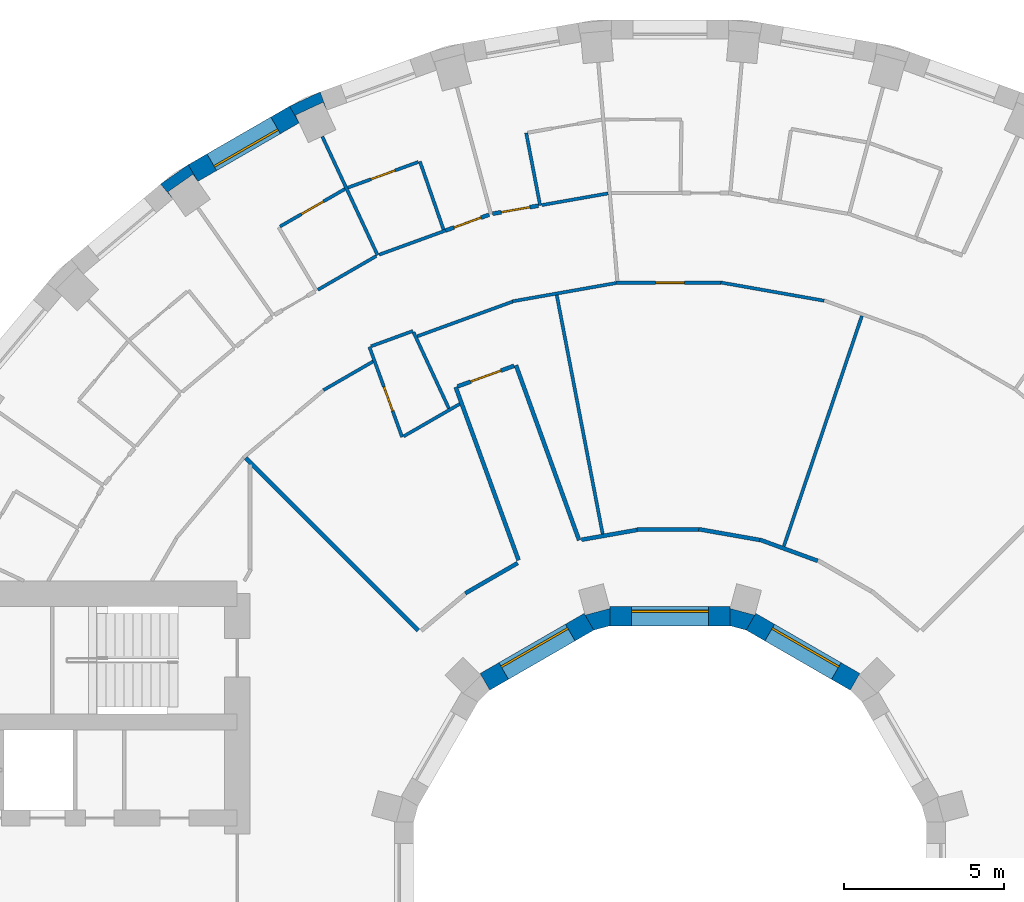
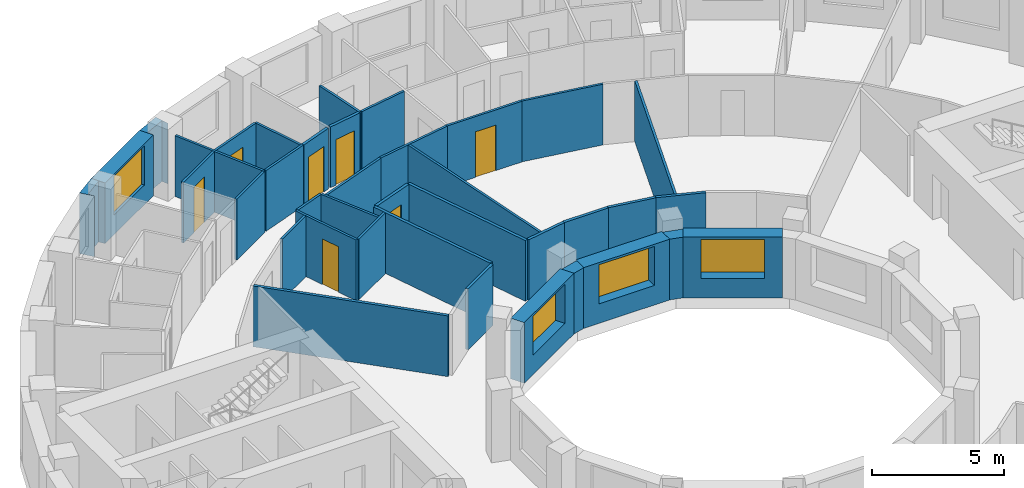
# One storey, part 10 of 14: 38 walls, 7 doors, 4 windows, 11 openings.
"""IFC4 building model written with IfcOpenShell, lengths in metres."""

from ifc_helpers import new_model, si_unit, direction, frame, frame_2d, origin, place, context, subcontext, project, spatial, polyline, rectangle, outline, extrude, material, layer, layer_set, type_object, element, fill, save


model = new_model("IFC4")

# Units and contexts
model_context = context("Model", 3, precision=1e-05, world=origin(), true_north=direction((0.0, 1.0)))
body_context = subcontext(model_context, "Body", "Model", "MODEL_VIEW")
ifc_project = project(units=[si_unit("LENGTHUNIT", "METRE"), si_unit("AREAUNIT", "SQUARE_METRE"), si_unit("VOLUMEUNIT", "CUBIC_METRE"), si_unit("PLANEANGLEUNIT", "RADIAN"), si_unit("MASSUNIT", "GRAM", prefix="KILO")], contexts=[model_context])

# Site, building, storey
site_placement = place(None, origin())
site = spatial("IfcSite", under=ifc_project, at=site_placement, CompositionType="ELEMENT")
building_placement = place(site_placement, origin())
building = spatial("IfcBuilding", under=site, at=building_placement, Name="Saqina Gate Tower", CompositionType="ELEMENT")
storey_placement = place(building_placement, frame((0.0, 0.0, 138.10009765625)))
storey = spatial("IfcBuildingStorey", under=building, at=storey_placement, Name="L39", CompositionType="ELEMENT", Elevation=138.10009765625)

# Walls
ifc_material_1 = material(Name="Brick masonry (buff)", Category="masonry")
wall_type_1 = type_object("IfcWallType", Name="BRICK PIER COPING BUFF", PredefinedType="SOLIDWALL", material=ifc_material_1)
wall_1_placement = place(storey_placement, origin())
element("IfcWall", 1, at=wall_1_placement, inside=storey, type_object=wall_type_1, Name="Pier cap L39 column 12", PredefinedType="SOLIDWALL", context=body_context, shape_type="SweptSolid", body=[
    extrude(outline(polyline([(-10.913330078125, 24.6513671875), (-11.869140625, 24.205810546875), (-11.569091796875, 23.68603515625), (-11.6826171875, 23.9296875), (-10.82177734375, 24.331298828125), (-10.7080078125, 24.08740234375), (-10.913330078125, 24.6513671875)])), origin(), (0.0, 0.0, 1.0), 2.7998046875),
])
wall_2_placement = place(storey_placement, origin())
element("IfcWall", 2, at=wall_2_placement, inside=storey, type_object=wall_type_1, Name="Pier cap L39 column 13", PredefinedType="SOLIDWALL", context=body_context, shape_type="SweptSolid", body=[
    extrude(outline(polyline([(-15.89208984375, 21.77685546875), (-15.50634765625, 21.317138671875), (-15.66064453125, 21.53759765625), (-14.88232421875, 22.08251953125), (-14.728271484375, 21.862060546875), (-15.0283203125, 22.3818359375), (-15.89208984375, 21.77685546875)])), origin(), (0.0, 0.0, 1.0), 2.7998046875),
])

# Wall, opening, window
ifc_material_2 = material(Name="Brick masonry (buff)", Category="masonry")
ifc_layer_1 = layer(ifc_material_2, 0.60009765625)
ifc_layer_set_1 = layer_set([ifc_layer_1], Name="FW-BRICK-BUFF")
wall_type_2 = type_object("IfcWallType", Name="FW-BRICK-BUFF", PredefinedType="SOLIDWALL", material=ifc_layer_set_1)
wall_3_placement = place(storey_placement, frame((-11.718994140625, 23.94580078125, 0.0), z_axis=(0.0, 0.0, 1.0), x_axis=(-0.866051847062, -0.499954196102, 0.0)))
wall_3 = element("IfcWall", 3, at=wall_3_placement, inside=storey, type_object=wall_type_2, Name="Facade wall L39 facet 12", PredefinedType="SOLIDWALL", context=body_context, shape_type="SweptSolid", body=[
    extrude(rectangle(XDim=3.647705078125, YDim=0.60009765625, at=frame_2d((1.82373046875, 0.0))), origin(), (0.0, 0.0, 1.0), 2.7998046875),
])
opening_1_placement = place(wall_3_placement, frame((0.673828125, 0.0, 0.89990234375)))
opening_1 = element("IfcOpeningElement", 4, at=opening_1_placement, cuts=wall_3, Name="Opening G11-W10", PredefinedType="OPENING", context=body_context, shape_type="SweptSolid", body=[
    extrude(rectangle(XDim=2.300048828125, YDim=1.800048828125, at=frame_2d((1.14990234375, 0.89990234375))), frame((0.0, 0.31201171875, 0.0), z_axis=(0.0, -1.0, 0.0), x_axis=(1.0, 0.0, 0.0)), (0.0, 0.0, 1.0), 0.6240234375),
])
ifc_material_3 = material(Name="Aluminium glazing", Category="aluminium")
window_type_1 = type_object("IfcWindowType", Name="WN-B", PartitioningType="SINGLE_PANEL", PredefinedType="WINDOW", material=ifc_material_3)
window_1_placement = place(opening_1_placement, origin())
window_1 = element("IfcWindow", 5, at=window_1_placement, inside=storey, type_object=window_type_1, Name="Window L39 facet 12", OverallHeight=1.800048828125, OverallWidth=2.300048828125, PartitioningType="SINGLE_PANEL", PredefinedType="WINDOW", context=body_context, shape_type="SweptSolid", body=[
    extrude(rectangle(XDim=2.300048828125, YDim=1.800048828125, at=frame_2d((1.14990234375, 0.89990234375))), frame((0.0, 0.179931640625, 0.0), z_axis=(0.0, -1.0, 0.0), x_axis=(1.0, 0.0, 0.0)), (0.0, 0.0, 1.0), 0.06005859375),
])
fill(opening_1, window_1)

ifc_material_4 = material(Name="Glazed ceramic tile", Category="ceramic")
ifc_layer_2 = layer(ifc_material_4, 0.60009765625)
ifc_layer_set_2 = layer_set([ifc_layer_2], Name="IW-TILE")
wall_type_3 = type_object("IfcWallType", Name="IW-TILE", PredefinedType="SOLIDWALL", material=ifc_layer_set_2)
wall_4_placement = place(storey_placement, frame((5.772705078125, 6.251220703125, 0.0), z_axis=(0.0, 0.0, 1.0), x_axis=(-0.86604563398, 0.499964958637, 0.0)))
wall_4 = element("IfcWall", 6, at=wall_4_placement, inside=storey, type_object=wall_type_3, Name="Well wall L39 facet 2", PredefinedType="SOLIDWALL", context=body_context, shape_type="SweptSolid", body=[
    extrude(rectangle(XDim=3.747314453125, YDim=0.60009765625, at=frame_2d((1.87353515625, 0.0))), origin(), (0.0, 0.0, 1.0), 2.7998046875),
])
opening_2_placement = place(wall_4_placement, frame((0.673583984375, 0.0, 0.89990234375)))
opening_2 = element("IfcOpeningElement", 7, at=opening_2_placement, cuts=wall_4, Name="Opening G11-W24", PredefinedType="OPENING", context=body_context, shape_type="SweptSolid", body=[
    extrude(rectangle(XDim=2.39990234375, YDim=1.800048828125, at=frame_2d((1.199951171875, 0.89990234375))), frame((0.0, 0.31201171875, 0.0), z_axis=(0.0, -1.0, 0.0), x_axis=(1.0, 0.0, 0.0)), (0.0, 0.0, 1.0), 0.6240234375),
])
ifc_material_5 = material(Name="Aluminium glazing", Category="aluminium")
window_type_2 = type_object("IfcWindowType", Name="WN-W", PartitioningType="SINGLE_PANEL", PredefinedType="WINDOW", material=ifc_material_5)
window_2_placement = place(opening_2_placement, origin())
window_2 = element("IfcWindow", 8, at=window_2_placement, inside=storey, type_object=window_type_2, Name="Well window L39 facet 2", OverallHeight=1.800048828125, OverallWidth=2.39990234375, PartitioningType="SINGLE_PANEL", PredefinedType="WINDOW", context=body_context, shape_type="SweptSolid", body=[
    extrude(rectangle(XDim=2.39990234375, YDim=1.800048828125, at=frame_2d((1.199951171875, 0.89990234375))), frame((0.0, -0.119873046875, 0.0), z_axis=(0.0, -1.0, 0.0), x_axis=(1.0, 0.0, 0.0)), (0.0, 0.0, 1.0), 0.06005859375),
])
fill(opening_2, window_2)

wall_5_placement = place(storey_placement, frame((1.873779296875, 8.300048828125, 0.0), z_axis=(0.0, 0.0, 1.0), x_axis=(-1.0, 0.0, 0.0)))
wall_5 = element("IfcWall", 9, at=wall_5_placement, inside=storey, type_object=wall_type_3, Name="Well wall L39 facet 3", PredefinedType="SOLIDWALL", context=body_context, shape_type="SweptSolid", body=[
    extrude(rectangle(XDim=3.74755859375, YDim=0.60009765625, at=frame_2d((1.873779296875, 0.0))), origin(), (0.0, 0.0, 1.0), 2.7998046875),
])
opening_3_placement = place(wall_5_placement, frame((0.673583984375, 0.0, 0.89990234375)))
opening_3 = element("IfcOpeningElement", 10, at=opening_3_placement, cuts=wall_5, Name="Opening G11-W25", PredefinedType="OPENING", context=body_context, shape_type="SweptSolid", body=[
    extrude(rectangle(XDim=2.39990234375, YDim=1.800048828125, at=frame_2d((1.199951171875, 0.89990234375))), frame((0.0, 0.31201171875, 0.0), z_axis=(0.0, -1.0, 0.0), x_axis=(1.0, 0.0, 0.0)), (0.0, 0.0, 1.0), 0.6240234375),
])
window_3_placement = place(opening_3_placement, origin())
window_3 = element("IfcWindow", 11, at=window_3_placement, inside=storey, type_object=window_type_2, Name="Well window L39 facet 3", OverallHeight=1.800048828125, OverallWidth=2.39990234375, PartitioningType="SINGLE_PANEL", PredefinedType="WINDOW", context=body_context, shape_type="SweptSolid", body=[
    extrude(rectangle(XDim=2.39990234375, YDim=1.800048828125, at=frame_2d((1.199951171875, 0.89990234375))), frame((0.0, -0.119873046875, 0.0), z_axis=(0.0, -1.0, 0.0), x_axis=(1.0, 0.0, 0.0)), (0.0, 0.0, 1.0), 0.06005859375),
])
fill(opening_3, window_3)

wall_6_placement = place(storey_placement, frame((-2.52734375, 8.124755859375, 0.0), z_axis=(0.0, 0.0, 1.0), x_axis=(-0.86604563398, -0.499964958637, 0.0)))
wall_6 = element("IfcWall", 12, at=wall_6_placement, inside=storey, type_object=wall_type_3, Name="Well wall L39 facet 4", PredefinedType="SOLIDWALL", context=body_context, shape_type="SweptSolid", body=[
    extrude(rectangle(XDim=3.747314453125, YDim=0.60009765625, at=frame_2d((1.87353515625, 0.0))), origin(), (0.0, 0.0, 1.0), 2.7998046875),
])
opening_4_placement = place(wall_6_placement, frame((0.673583984375, 0.0, 0.89990234375)))
opening_4 = element("IfcOpeningElement", 13, at=opening_4_placement, cuts=wall_6, Name="Opening G11-W26", PredefinedType="OPENING", context=body_context, shape_type="SweptSolid", body=[
    extrude(rectangle(XDim=2.39990234375, YDim=1.800048828125, at=frame_2d((1.199951171875, 0.89990234375))), frame((0.0, 0.31201171875, 0.0), z_axis=(0.0, -1.0, 0.0), x_axis=(1.0, 0.0, 0.0)), (0.0, 0.0, 1.0), 0.6240234375),
])
window_4_placement = place(opening_4_placement, origin())
window_4 = element("IfcWindow", 14, at=window_4_placement, inside=storey, type_object=window_type_2, Name="Well window L39 facet 4", OverallHeight=1.800048828125, OverallWidth=2.39990234375, PartitioningType="SINGLE_PANEL", PredefinedType="WINDOW", context=body_context, shape_type="SweptSolid", body=[
    extrude(rectangle(XDim=2.39990234375, YDim=1.800048828125, at=frame_2d((1.199951171875, 0.89990234375))), frame((0.0, -0.119873046875, 0.0), z_axis=(0.0, -1.0, 0.0), x_axis=(1.0, 0.0, 0.0)), (0.0, 0.0, 1.0), 0.06005859375),
])
fill(opening_4, window_4)

# Walls
ifc_material_6 = material(Name="Gypsum board on steel studs, 100 mm", Category="steel")
ifc_layer_3 = layer(ifc_material_6, 0.10009765625)
ifc_layer_set_3 = layer_set([ifc_layer_3], Name="PARTITION 100")
wall_type_4 = type_object("IfcWallType", Name="PARTITION 100", PredefinedType="PARTITIONING", material=ifc_layer_set_3)
wall_7_placement = place(storey_placement, frame((-4.486083984375, 23.373046875, 0.0), z_axis=(0.0, 0.0, 1.0), x_axis=(0.188701744684, -0.982034445197, 0.0)))
element("IfcWall", 15, at=wall_7_placement, inside=storey, type_object=wall_type_4, Name="PARTITION PW3-06", PredefinedType="PARTITIONING", context=body_context, shape_type="SweptSolid", body=[
    extrude(rectangle(XDim=2.30029296875, YDim=0.10009765625, at=frame_2d((1.150146484375, 0.0))), origin(), (0.0, 0.0, 1.0), 2.7998046875),
])
wall_8_placement = place(storey_placement, frame((-3.532470703125, 18.31396484375, 0.0), z_axis=(0.0, 0.0, 1.0), x_axis=(0.188654052272, -0.982043608279, 0.0)))
element("IfcWall", 16, at=wall_8_placement, inside=storey, type_object=wall_type_4, Name="PARTITION PW3-07", PredefinedType="PARTITIONING", context=body_context, shape_type="SweptSolid", body=[
    extrude(rectangle(XDim=7.58740234375, YDim=0.10009765625, at=frame_2d((3.793701171875, 0.0))), origin(), (0.0, 0.0, 1.0), 2.7998046875),
])
wall_9_placement = place(storey_placement, frame((-7.802001953125, 22.485107421875, 0.0), z_axis=(0.0, 0.0, 1.0), x_axis=(0.327758868129, -0.944761411343, 0.0)))
element("IfcWall", 17, at=wall_9_placement, inside=storey, type_object=wall_type_4, Name="PARTITION PW3-10", PredefinedType="PARTITIONING", context=body_context, shape_type="SweptSolid", body=[
    extrude(rectangle(XDim=2.250244140625, YDim=0.10009765625, at=frame_2d((1.125, 0.0))), origin(), (0.0, 0.0, 1.0), 2.7998046875),
])

# Wall, opening, door
wall_10_placement = place(storey_placement, frame((-9.377685546875, 16.7001953125, 0.0), z_axis=(0.0, 0.0, 1.0), x_axis=(0.341009323841, -0.940059913545, 0.0)))
wall_10 = element("IfcWall", 18, at=wall_10_placement, inside=storey, type_object=wall_type_4, Name="PARTITION PW3-11", PredefinedType="PARTITIONING", context=body_context, shape_type="SweptSolid", body=[
    extrude(rectangle(XDim=2.99267578125, YDim=0.10009765625, at=frame_2d((1.496337890625, 0.0))), origin(), (0.0, 0.0, 1.0), 2.7998046875),
])
opening_5_placement = place(wall_10_placement, frame((1.325927734375, 0.0, 0.0)))
opening_5 = element("IfcOpeningElement", 19, at=opening_5_placement, cuts=wall_10, Name="Opening G11-D18", PredefinedType="OPENING", context=body_context, shape_type="SweptSolid", body=[
    extrude(rectangle(XDim=0.800048828125, YDim=2.10009765625, at=frame_2d((0.39990234375, 1.050048828125))), frame((0.0, 0.06201171875, 0.0), z_axis=(0.0, -1.0, 0.0), x_axis=(1.0, 0.0, 0.0)), (0.0, 0.0, 1.0), 0.1240234375),
])
ifc_material_7 = material(Name="Timber door leaf, 800 mm", Category="wood")
door_type_1 = type_object("IfcDoorType", Name="DOOR 800 TIMBER", OperationType="SINGLE_SWING_LEFT", PredefinedType="DOOR", material=ifc_material_7)
door_1_placement = place(opening_5_placement, frame((0.800048828125, 0.0, 0.0), z_axis=(0.0, 0.0, 1.0), x_axis=(-1.0, 0.0, 0.0)))
door_1 = element("IfcDoor", 20, at=door_1_placement, inside=storey, type_object=door_type_1, Name="DOOR G11-D18", OperationType="SINGLE_SWING_LEFT", OverallHeight=2.10009765625, OverallWidth=0.800048828125, PredefinedType="DOOR", context=body_context, shape_type="SweptSolid", body=[
    extrude(rectangle(XDim=0.800048828125, YDim=2.10009765625, at=frame_2d((0.39990234375, 1.050048828125))), frame((0.0, 0.02490234375, 0.0), z_axis=(0.0, -1.0, 0.0), x_axis=(1.0, 0.0, 0.0)), (0.0, 0.0, 1.0), 0.050048828125),
])
fill(opening_5, door_1)

# Walls
wall_11_placement = place(storey_placement, frame((-8.000732421875, 17.15771484375, 0.0), z_axis=(0.0, 0.0, 1.0), x_axis=(0.420966177441, -0.907076334964, 0.0)))
element("IfcWall", 21, at=wall_11_placement, inside=storey, type_object=wall_type_4, Name="PARTITION PW3-13", PredefinedType="PARTITIONING", context=body_context, shape_type="SweptSolid", body=[
    extrude(rectangle(XDim=2.61962890625, YDim=0.10009765625, at=frame_2d((1.309814453125, 0.0))), origin(), (0.0, 0.0, 1.0), 2.7998046875),
])
wall_12_placement = place(storey_placement, frame((-10.84716796875, 23.260009765625, 0.0), z_axis=(0.0, 0.0, 1.0), x_axis=(0.422784035137, -0.906230467173, 0.0)))
element("IfcWall", 22, at=wall_12_placement, inside=storey, type_object=wall_type_4, Name="PARTITION PW3-14", PredefinedType="PARTITIONING", context=body_context, shape_type="SweptSolid", body=[
    extrude(rectangle(XDim=4.0849609375, YDim=0.10009765625, at=frame_2d((2.04248046875, 0.0))), origin(), (0.0, 0.0, 1.0), 2.7998046875),
])
wall_13_placement = place(storey_placement, frame((1.5859375, 18.707763671875, 0.0), z_axis=(0.0, 0.0, 1.0), x_axis=(0.984816586048, -0.17359807558, 0.0)))
element("IfcWall", 23, at=wall_13_placement, inside=storey, type_object=wall_type_4, Name="PARTITION PW3-35", PredefinedType="PARTITIONING", context=body_context, shape_type="SweptSolid", body=[
    extrude(rectangle(XDim=3.272705078125, YDim=0.10009765625, at=frame_2d((1.63623046875, 0.0))), origin(), (0.0, 0.0, 1.0), 2.7998046875),
])

# Wall, opening, door
wall_14_placement = place(storey_placement, frame((-1.686767578125, 18.698974609375, 0.0), z_axis=(0.0, 0.0, 1.0), x_axis=(1.0, 0.0, 0.0)))
wall_14 = element("IfcWall", 24, at=wall_14_placement, inside=storey, type_object=wall_type_4, Name="PARTITION PW3-41", PredefinedType="PARTITIONING", context=body_context, shape_type="SweptSolid", body=[
    extrude(rectangle(XDim=3.272705078125, YDim=0.10009765625, at=frame_2d((1.63623046875, 0.0))), origin(), (0.0, 0.0, 1.0), 2.7998046875),
])
opening_6_placement = place(wall_14_placement, frame((1.23681640625, 0.0, 0.0)))
opening_6 = element("IfcOpeningElement", 25, at=opening_6_placement, cuts=wall_14, Name="Opening G11-D09", PredefinedType="OPENING", context=body_context, shape_type="SweptSolid", body=[
    extrude(rectangle(XDim=0.89990234375, YDim=2.10009765625, at=frame_2d((0.449951171875, 1.050048828125))), frame((0.0, 0.06201171875, 0.0), z_axis=(0.0, -1.0, 0.0), x_axis=(1.0, 0.0, 0.0)), (0.0, 0.0, 1.0), 0.1240234375),
])
ifc_material_8 = material(Name="Timber door leaf, 900 mm", Category="wood")
door_type_2 = type_object("IfcDoorType", Name="DOOR 900 TIMBER", OperationType="SINGLE_SWING_LEFT", PredefinedType="DOOR", material=ifc_material_8)
door_2_placement = place(opening_6_placement, origin())
door_2 = element("IfcDoor", 26, at=door_2_placement, inside=storey, type_object=door_type_2, Name="DOOR G11-D09", OperationType="SINGLE_SWING_RIGHT", OverallHeight=2.10009765625, OverallWidth=0.89990234375, PredefinedType="DOOR", context=body_context, shape_type="SweptSolid", body=[
    extrude(rectangle(XDim=0.89990234375, YDim=2.10009765625, at=frame_2d((0.449951171875, 1.050048828125))), frame((0.0, 0.02490234375, 0.0), z_axis=(0.0, -1.0, 0.0), x_axis=(1.0, 0.0, 0.0)), (0.0, 0.0, 1.0), 0.050048828125),
])
fill(opening_6, door_2)

# Walls
wall_15_placement = place(storey_placement, frame((-4.907958984375, 18.1220703125, 0.0), z_axis=(0.0, 0.0, 1.0), x_axis=(0.984801579175, 0.1736831876, 0.0)))
element("IfcWall", 27, at=wall_15_placement, inside=storey, type_object=wall_type_4, Name="PARTITION PW3-48", PredefinedType="PARTITIONING", context=body_context, shape_type="SweptSolid", body=[
    extrude(rectangle(XDim=3.2724609375, YDim=0.10009765625, at=frame_2d((1.63623046875, 0.0))), origin(), (0.0, 0.0, 1.0), 2.7998046875),
])
wall_16_placement = place(storey_placement, frame((-4.002685546875, 21.122802734375, 0.0), z_axis=(0.0, 0.0, 1.0), x_axis=(0.984804573467, 0.173666208797, 0.0)))
element("IfcWall", 28, at=wall_16_placement, inside=storey, type_object=wall_type_4, Name="PARTITION PW3-49", PredefinedType="PARTITIONING", context=body_context, shape_type="SweptSolid", body=[
    extrude(rectangle(XDim=2.1044921875, YDim=0.10009765625, at=frame_2d((1.05224609375, 0.0))), origin(), (0.0, 0.0, 1.0), 2.7998046875),
])
wall_17_placement = place(storey_placement, frame((-7.885009765625, 17.029052734375, 0.0), z_axis=(0.0, 0.0, 1.0), x_axis=(0.939658489008, 0.342113905059, 0.0)))
element("IfcWall", 29, at=wall_17_placement, inside=storey, type_object=wall_type_4, Name="PARTITION PW3-54", PredefinedType="PARTITIONING", context=body_context, shape_type="SweptSolid", body=[
    extrude(rectangle(XDim=3.17138671875, YDim=0.10009765625, at=frame_2d((1.585693359375, 0.0))), origin(), (0.0, 0.0, 1.0), 2.7998046875),
])
wall_18_placement = place(storey_placement, frame((-9.3291015625, 16.7177734375, 0.0), z_axis=(0.0, 0.0, 1.0), x_axis=(0.939665632091, 0.342094285054, 0.0)))
element("IfcWall", 30, at=wall_18_placement, inside=storey, type_object=wall_type_4, Name="PARTITION PW3-55", PredefinedType="PARTITIONING", context=body_context, shape_type="SweptSolid", body=[
    extrude(rectangle(XDim=1.395263671875, YDim=0.10009765625, at=frame_2d((0.69775390625, 0.0))), origin(), (0.0, 0.0, 1.0), 2.7998046875),
])
wall_19_placement = place(storey_placement, frame((-9.072998046875, 19.5751953125, 0.0), z_axis=(0.0, 0.0, 1.0), x_axis=(0.939728749343, 0.341920864613, 0.0)))
element("IfcWall", 31, at=wall_19_placement, inside=storey, type_object=wall_type_4, Name="PARTITION PW3-56", PredefinedType="PARTITIONING", context=body_context, shape_type="SweptSolid", body=[
    extrude(rectangle(XDim=2.204833984375, YDim=0.10009765625, at=frame_2d((1.1025390625, 0.0))), origin(), (0.0, 0.0, 1.0), 2.7998046875),
])

# Wall, opening, door
wall_20_placement = place(storey_placement, frame((-10.049072265625, 21.6669921875, 0.0), z_axis=(0.0, 0.0, 1.0), x_axis=(0.939662448837, 0.342103028699, 0.0)))
wall_20 = element("IfcWall", 32, at=wall_20_placement, inside=storey, type_object=wall_type_4, Name="PARTITION PW3-57", PredefinedType="PARTITIONING", context=body_context, shape_type="SweptSolid", body=[
    extrude(rectangle(XDim=2.341552734375, YDim=0.10009765625, at=frame_2d((1.1708984375, 0.0))), origin(), (0.0, 0.0, 1.0), 2.7998046875),
])
opening_7_placement = place(wall_20_placement, frame((0.7705078125, 0.0, 0.0)))
opening_7 = element("IfcOpeningElement", 33, at=opening_7_placement, cuts=wall_20, Name="Opening G11-D16", PredefinedType="OPENING", context=body_context, shape_type="SweptSolid", body=[
    extrude(rectangle(XDim=0.800048828125, YDim=2.10009765625, at=frame_2d((0.39990234375, 1.050048828125))), frame((0.0, 0.06201171875, 0.0), z_axis=(0.0, -1.0, 0.0), x_axis=(1.0, 0.0, 0.0)), (0.0, 0.0, 1.0), 0.1240234375),
])
door_3_placement = place(opening_7_placement, origin())
door_3 = element("IfcDoor", 34, at=door_3_placement, inside=storey, type_object=door_type_1, Name="DOOR G11-D16", OperationType="SINGLE_SWING_LEFT", OverallHeight=2.10009765625, OverallWidth=0.800048828125, PredefinedType="DOOR", context=body_context, shape_type="SweptSolid", body=[
    extrude(rectangle(XDim=0.800048828125, YDim=2.10009765625, at=frame_2d((0.39990234375, 1.050048828125))), frame((0.0, 0.02490234375, 0.0), z_axis=(0.0, -1.0, 0.0), x_axis=(1.0, 0.0, 0.0)), (0.0, 0.0, 1.0), 0.050048828125),
])
fill(opening_7, door_3)

# Walls
wall_21_placement = place(storey_placement, frame((-8.309814453125, 13.908935546875, 0.0), z_axis=(0.0, 0.0, 1.0), x_axis=(0.866137275136, 0.499806183056, 0.0)))
element("IfcWall", 35, at=wall_21_placement, inside=storey, type_object=wall_type_4, Name="PARTITION PW3-59", PredefinedType="PARTITIONING", context=body_context, shape_type="SweptSolid", body=[
    extrude(rectangle(XDim=2.019287109375, YDim=0.10009765625, at=frame_2d((1.009765625, 0.0))), origin(), (0.0, 0.0, 1.0), 2.7998046875),
])
wall_22_placement = place(storey_placement, frame((-10.81005859375, 15.3505859375, 0.0), z_axis=(0.0, 0.0, 1.0), x_axis=(0.866037519928, 0.499979013637, 0.0)))
element("IfcWall", 36, at=wall_22_placement, inside=storey, type_object=wall_type_4, Name="PARTITION PW3-60", PredefinedType="PARTITIONING", context=body_context, shape_type="SweptSolid", body=[
    extrude(rectangle(XDim=1.78466796875, YDim=0.10009765625, at=frame_2d((0.892333984375, 0.0))), origin(), (0.0, 0.0, 1.0), 2.7998046875),
])
wall_23_placement = place(storey_placement, frame((-10.985595703125, 18.47998046875, 0.0), z_axis=(0.0, 0.0, 1.0), x_axis=(0.865841622723, 0.50031818312, 0.0)))
element("IfcWall", 37, at=wall_23_placement, inside=storey, type_object=wall_type_4, Name="PARTITION PW3-61", PredefinedType="PARTITIONING", context=body_context, shape_type="SweptSolid", body=[
    extrude(rectangle(XDim=2.104736328125, YDim=0.10009765625, at=frame_2d((1.05224609375, 0.0))), origin(), (0.0, 0.0, 1.0), 2.7998046875),
])

# Wall, opening, door
wall_24_placement = place(storey_placement, frame((-12.165771484375, 20.455078125, 0.0), z_axis=(0.0, 0.0, 1.0), x_axis=(0.866025730634, 0.499999433879, 0.0)))
wall_24 = element("IfcWall", 38, at=wall_24_placement, inside=storey, type_object=wall_type_4, Name="PARTITION PW3-62", PredefinedType="PARTITIONING", context=body_context, shape_type="SweptSolid", body=[
    extrude(rectangle(XDim=2.33984375, YDim=0.10009765625, at=frame_2d((1.169921875, 0.0))), origin(), (0.0, 0.0, 1.0), 2.7998046875),
])
opening_8_placement = place(wall_24_placement, frame((0.77001953125, 0.0, 0.0)))
opening_8 = element("IfcOpeningElement", 39, at=opening_8_placement, cuts=wall_24, Name="Opening G11-D17", PredefinedType="OPENING", context=body_context, shape_type="SweptSolid", body=[
    extrude(rectangle(XDim=0.800048828125, YDim=2.10009765625, at=frame_2d((0.39990234375, 1.050048828125))), frame((0.0, 0.06201171875, 0.0), z_axis=(0.0, -1.0, 0.0), x_axis=(1.0, 0.0, 0.0)), (0.0, 0.0, 1.0), 0.1240234375),
])
door_4_placement = place(opening_8_placement, origin())
door_4 = element("IfcDoor", 40, at=door_4_placement, inside=storey, type_object=door_type_1, Name="DOOR G11-D17", OperationType="SINGLE_SWING_RIGHT", OverallHeight=2.10009765625, OverallWidth=0.800048828125, PredefinedType="DOOR", context=body_context, shape_type="SweptSolid", body=[
    extrude(rectangle(XDim=0.800048828125, YDim=2.10009765625, at=frame_2d((0.39990234375, 1.050048828125))), frame((0.0, 0.02490234375, 0.0), z_axis=(0.0, -1.0, 0.0), x_axis=(1.0, 0.0, 0.0)), (0.0, 0.0, 1.0), 0.050048828125),
])
fill(opening_8, door_4)

# Walls
wall_25_placement = place(storey_placement, frame((3.552001953125, 10.479736328125, 0.0), z_axis=(0.0, 0.0, 1.0), x_axis=(0.320895480421, 0.947114613257, 0.0)))
element("IfcWall", 41, at=wall_25_placement, inside=storey, type_object=wall_type_4, Name="PARTITION PW3-80", PredefinedType="PARTITIONING", context=body_context, shape_type="SweptSolid", body=[
    extrude(rectangle(XDim=7.58837890625, YDim=0.10009765625, at=frame_2d((3.794189453125, 0.0))), origin(), (0.0, 0.0, 1.0), 2.7998046875),
])
ifc_material_9 = material(Name="Gypsum board on steel studs, 125 mm, fire rated", Category="steel")
ifc_layer_4 = layer(ifc_material_9, 0.125)
ifc_layer_set_4 = layer_set([ifc_layer_4], Name="PARTITION EI 30 125")
wall_type_5 = type_object("IfcWallType", Name="PARTITION EI 30 125", PredefinedType="PARTITIONING", material=ifc_layer_set_4)
wall_26_placement = place(storey_placement, frame((-4.804931640625, 16.127197265625, 0.0), z_axis=(0.0, 0.0, 1.0), x_axis=(0.339327115449, -0.940668437188, 0.0)))
element("IfcWall", 42, at=wall_26_placement, inside=storey, type_object=wall_type_5, Name="PARTITION PW1-03", PredefinedType="PARTITIONING", context=body_context, shape_type="SweptSolid", body=[
    extrude(rectangle(XDim=5.80419921875, YDim=0.125, at=frame_2d((2.902099609375, 0.0))), origin(), (0.0, 0.0, 1.0), 2.7998046875),
])
wall_27_placement = place(storey_placement, frame((-6.685791015625, 15.445068359375, 0.0), z_axis=(0.0, 0.0, 1.0), x_axis=(0.341435936204, -0.939905049177, 0.0)))
element("IfcWall", 43, at=wall_27_placement, inside=storey, type_object=wall_type_5, Name="PARTITION PW1-04", PredefinedType="PARTITIONING", context=body_context, shape_type="SweptSolid", body=[
    extrude(rectangle(XDim=5.74462890625, YDim=0.125, at=frame_2d((2.872314453125, 0.0))), origin(), (0.0, 0.0, 1.0), 2.7998046875),
])
wall_28_placement = place(storey_placement, frame((-13.236572265625, 13.236572265625, 0.0), z_axis=(0.0, 0.0, 1.0), x_axis=(0.707106781187, -0.707106781187, 0.0)))
element("IfcWall", 44, at=wall_28_placement, inside=storey, type_object=wall_type_5, Name="PARTITION PW1-06", PredefinedType="PARTITIONING", context=body_context, shape_type="SweptSolid", body=[
    extrude(rectangle(XDim=7.614501953125, YDim=0.125, at=frame_2d((3.80712890625, 0.0))), origin(), (0.0, 0.0, 1.0), 2.7998046875),
])
wall_29_placement = place(storey_placement, frame((2.798095703125, 10.685546875, 0.0), z_axis=(0.0, 0.0, 1.0), x_axis=(0.939367042811, -0.34291334019, 0.0)))
element("IfcWall", 45, at=wall_29_placement, inside=storey, type_object=wall_type_5, Name="PARTITION PW1-12", PredefinedType="PARTITIONING", context=body_context, shape_type="SweptSolid", body=[
    extrude(rectangle(XDim=1.92578125, YDim=0.125, at=frame_2d((0.962890625, 0.0))), origin(), (0.0, 0.0, 1.0), 2.7998046875),
])
wall_30_placement = place(storey_placement, frame((0.8994140625, 11.010986328125, 0.0), z_axis=(0.0, 0.0, 1.0), x_axis=(0.984830733923, -0.173517795977, 0.0)))
element("IfcWall", 46, at=wall_30_placement, inside=storey, type_object=wall_type_5, Name="PARTITION PW1-17", PredefinedType="PARTITIONING", context=body_context, shape_type="SweptSolid", body=[
    extrude(rectangle(XDim=1.92626953125, YDim=0.125, at=frame_2d((0.963134765625, 0.0))), origin(), (0.0, 0.0, 1.0), 2.7998046875),
])
wall_31_placement = place(storey_placement, frame((-1.025390625, 11.0, 0.0), z_axis=(0.0, 0.0, 1.0), x_axis=(1.0, 0.0, 0.0)))
element("IfcWall", 47, at=wall_31_placement, inside=storey, type_object=wall_type_5, Name="PARTITION PW1-21", PredefinedType="PARTITIONING", context=body_context, shape_type="SweptSolid", body=[
    extrude(rectangle(XDim=1.9248046875, YDim=0.125, at=frame_2d((0.96240234375, 0.0))), origin(), (0.0, 0.0, 1.0), 2.7998046875),
])
wall_32_placement = place(storey_placement, frame((-2.760498046875, 10.68310546875, 0.0), z_axis=(0.0, 0.0, 1.0), x_axis=(0.98482115855, 0.173572133917, 0.0)))
element("IfcWall", 48, at=wall_32_placement, inside=storey, type_object=wall_type_5, Name="PARTITION PW1-25", PredefinedType="PARTITIONING", context=body_context, shape_type="SweptSolid", body=[
    extrude(rectangle(XDim=1.763916015625, YDim=0.125, at=frame_2d((0.8818359375, 0.0))), origin(), (0.0, 0.0, 1.0), 2.7998046875),
])

# Wall, opening, door
wall_33_placement = place(storey_placement, frame((-5.53564453125, 20.852783203125, 0.0), z_axis=(0.0, 0.0, 1.0), x_axis=(0.984862774054, 0.173335848233, 0.0)))
wall_33 = element("IfcWall", 49, at=wall_33_placement, inside=storey, type_object=wall_type_5, Name="PARTITION PW1-26", PredefinedType="PARTITIONING", context=body_context, shape_type="SweptSolid", body=[
    extrude(rectangle(XDim=1.456298828125, YDim=0.125, at=frame_2d((0.72802734375, 0.0))), origin(), (0.0, 0.0, 1.0), 2.7998046875),
])
opening_9_placement = place(wall_33_placement, frame((0.2783203125, 0.0, 0.0)))
opening_9 = element("IfcOpeningElement", 50, at=opening_9_placement, cuts=wall_33, Name="Opening G11-D13", PredefinedType="OPENING", context=body_context, shape_type="SweptSolid", body=[
    extrude(rectangle(XDim=0.89990234375, YDim=2.10009765625, at=frame_2d((0.449951171875, 1.050048828125))), frame((0.0, 0.074462890625, 0.0), z_axis=(0.0, -1.0, 0.0), x_axis=(1.0, 0.0, 0.0)), (0.0, 0.0, 1.0), 0.14892578125),
])
ifc_material_10 = material(Name="Fire door leaf EI 30, 900 mm")
door_type_3 = type_object("IfcDoorType", Name="DOOR 900 EI 30", OperationType="SINGLE_SWING_LEFT", PredefinedType="DOOR", material=ifc_material_10)
door_5_placement = place(opening_9_placement, frame((0.89990234375, 0.0, 0.0), z_axis=(0.0, 0.0, 1.0), x_axis=(-1.0, 0.0, 0.0)))
door_5 = element("IfcDoor", 51, at=door_5_placement, inside=storey, type_object=door_type_3, Name="DOOR G11-D13", OperationType="SINGLE_SWING_RIGHT", OverallHeight=2.10009765625, OverallWidth=0.89990234375, PredefinedType="DOOR", context=body_context, shape_type="SweptSolid", body=[
    extrude(rectangle(XDim=0.89990234375, YDim=2.10009765625, at=frame_2d((0.449951171875, 1.050048828125))), frame((0.0, 0.02490234375, 0.0), z_axis=(0.0, -1.0, 0.0), x_axis=(1.0, 0.0, 0.0)), (0.0, 0.0, 1.0), 0.050048828125),
])
fill(opening_9, door_5)

wall_34_placement = place(storey_placement, frame((-6.625244140625, 15.467041015625, 0.0), z_axis=(0.0, 0.0, 1.0), x_axis=(0.939717302556, 0.341952323105, 0.0)))
wall_34 = element("IfcWall", 52, at=wall_34_placement, inside=storey, type_object=wall_type_5, Name="PARTITION PW1-29", PredefinedType="PARTITIONING", context=body_context, shape_type="SweptSolid", body=[
    extrude(rectangle(XDim=1.87353515625, YDim=0.125, at=frame_2d((0.936767578125, 0.0))), origin(), (0.0, 0.0, 1.0), 2.7998046875),
])
opening_10_placement = place(wall_34_placement, frame((0.435791015625, 0.0, 0.0)))
opening_10 = element("IfcOpeningElement", 53, at=opening_10_placement, cuts=wall_34, Name="Opening G11-D15", PredefinedType="OPENING", context=body_context, shape_type="SweptSolid", body=[
    extrude(rectangle(XDim=1.0, YDim=2.10009765625, at=frame_2d((0.5, 1.050048828125))), frame((0.0, 0.074462890625, 0.0), z_axis=(0.0, -1.0, 0.0), x_axis=(1.0, 0.0, 0.0)), (0.0, 0.0, 1.0), 0.14892578125),
])
ifc_material_11 = material(Name="Fire door leaf EI 30, 1000 mm")
door_type_4 = type_object("IfcDoorType", Name="DOOR 1000 EI 30", OperationType="SINGLE_SWING_LEFT", PredefinedType="DOOR", material=ifc_material_11)
door_6_placement = place(opening_10_placement, origin())
door_6 = element("IfcDoor", 54, at=door_6_placement, inside=storey, type_object=door_type_4, Name="DOOR G11-D15", OperationType="SINGLE_SWING_LEFT", OverallHeight=2.10009765625, OverallWidth=1.0, PredefinedType="DOOR", context=body_context, shape_type="SweptSolid", body=[
    extrude(rectangle(XDim=1.0, YDim=2.10009765625, at=frame_2d((0.5, 1.050048828125))), frame((0.0, 0.02490234375, 0.0), z_axis=(0.0, -1.0, 0.0), x_axis=(1.0, 0.0, 0.0)), (0.0, 0.0, 1.0), 0.050048828125),
])
fill(opening_10, door_6)

wall_35_placement = place(storey_placement, frame((-7.0009765625, 20.3291015625, 0.0), z_axis=(0.0, 0.0, 1.0), x_axis=(0.939763804893, 0.341824503237, 0.0)))
wall_35 = element("IfcWall", 55, at=wall_35_placement, inside=storey, type_object=wall_type_5, Name="PARTITION PW1-30", PredefinedType="PARTITIONING", context=body_context, shape_type="SweptSolid", body=[
    extrude(rectangle(XDim=1.444091796875, YDim=0.125, at=frame_2d((0.72216796875, 0.0))), origin(), (0.0, 0.0, 1.0), 2.7998046875),
])
opening_11_placement = place(wall_35_placement, frame((0.27783203125, 0.0, 0.0)))
opening_11 = element("IfcOpeningElement", 56, at=opening_11_placement, cuts=wall_35, Name="Opening G11-D14", PredefinedType="OPENING", context=body_context, shape_type="SweptSolid", body=[
    extrude(rectangle(XDim=0.89990234375, YDim=2.10009765625, at=frame_2d((0.449951171875, 1.050048828125))), frame((0.0, 0.074462890625, 0.0), z_axis=(0.0, -1.0, 0.0), x_axis=(1.0, 0.0, 0.0)), (0.0, 0.0, 1.0), 0.14892578125),
])
door_7_placement = place(opening_11_placement, frame((0.89990234375, 0.0, 0.0), z_axis=(0.0, 0.0, 1.0), x_axis=(-1.0, 0.0, 0.0)))
door_7 = element("IfcDoor", 57, at=door_7_placement, inside=storey, type_object=door_type_3, Name="DOOR G11-D14", OperationType="SINGLE_SWING_LEFT", OverallHeight=2.10009765625, OverallWidth=0.89990234375, PredefinedType="DOOR", context=body_context, shape_type="SweptSolid", body=[
    extrude(rectangle(XDim=0.89990234375, YDim=2.10009765625, at=frame_2d((0.449951171875, 1.050048828125))), frame((0.0, 0.02490234375, 0.0), z_axis=(0.0, -1.0, 0.0), x_axis=(1.0, 0.0, 0.0)), (0.0, 0.0, 1.0), 0.050048828125),
])
fill(opening_11, door_7)

# Walls
wall_36_placement = place(storey_placement, frame((-6.38623046875, 9.01123046875, 0.0), z_axis=(0.0, 0.0, 1.0), x_axis=(0.866006900077, 0.500032047992, 0.0)))
element("IfcWall", 58, at=wall_36_placement, inside=storey, type_object=wall_type_5, Name="PARTITION PW1-32", PredefinedType="PARTITIONING", context=body_context, shape_type="SweptSolid", body=[
    extrude(rectangle(XDim=1.888671875, YDim=0.125, at=frame_2d((0.9443359375, 0.0))), origin(), (0.0, 0.0, 1.0), 2.7998046875),
])
ifc_material_12 = material(Name="Glazed ceramic tile", Category="ceramic")
wall_type_6 = type_object("IfcWallType", Name="TILE PIER COPING", PredefinedType="SOLIDWALL", material=ifc_material_12)
wall_37_placement = place(storey_placement, origin())
element("IfcWall", 59, at=wall_37_placement, inside=storey, type_object=wall_type_6, Name="Well pier cap L39 column 3", PredefinedType="SOLIDWALL", context=body_context, shape_type="SweptSolid", body=[
    extrude(outline(polyline([(1.873779296875, 8.5380859375), (1.873779296875, 8.0), (2.377197265625, 7.864990234375), (2.646484375, 8.3310546875), (1.873779296875, 8.5380859375)])), origin(), (0.0, 0.0, 1.0), 2.7998046875),
])
wall_38_placement = place(storey_placement, origin())
element("IfcWall", 60, at=wall_38_placement, inside=storey, type_object=wall_type_6, Name="Well pier cap L39 column 4", PredefinedType="SOLIDWALL", context=body_context, shape_type="SweptSolid", body=[
    extrude(outline(polyline([(-2.646484375, 8.3310546875), (-2.377197265625, 7.864990234375), (-1.873779296875, 8.0), (-1.873779296875, 8.5380859375), (-2.646484375, 8.3310546875)])), origin(), (0.0, 0.0, 1.0), 2.7998046875),
])

save(model, "model.ifc")
